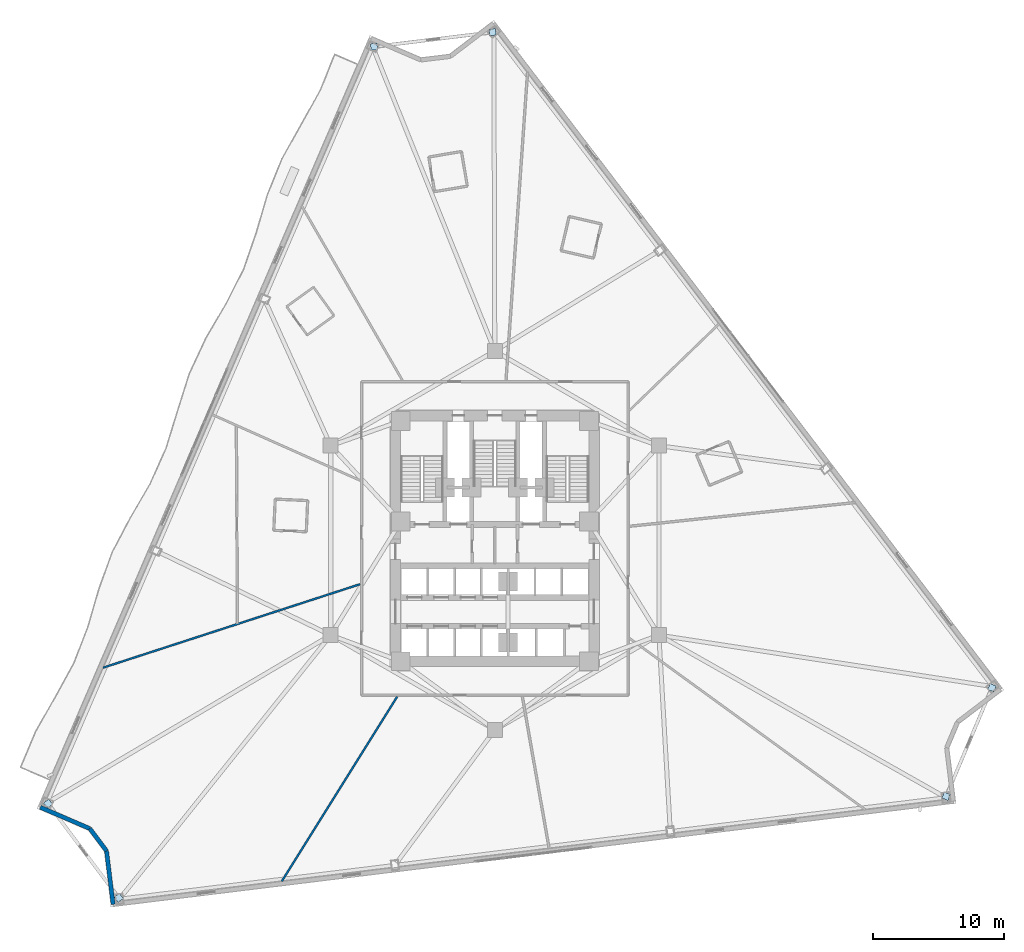
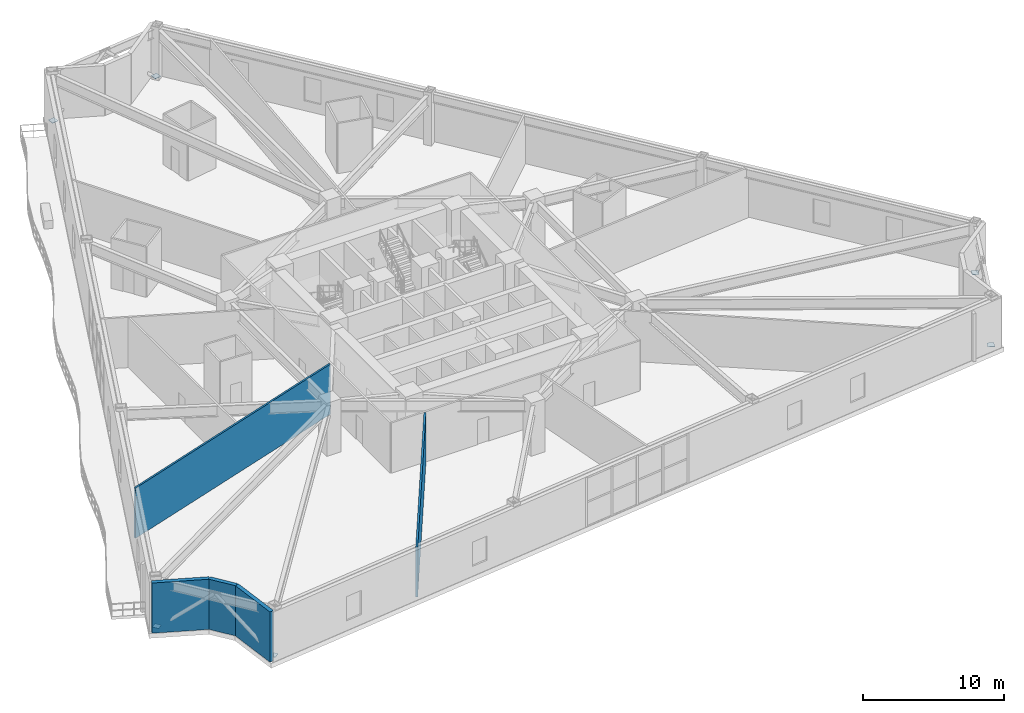
# One storey, part 11 of 21: 6 plates, 5 walls.
"""IFC4 building model written with IfcOpenShell, lengths in metres."""

from ifc_helpers import new_model, si_unit, direction, frame, frame_2d, origin, origin_2d, place, context, subcontext, project, spatial, rectangle, extrude, material, layer, layer_set, type_object, element, save


model = new_model("IFC4")

# Units and contexts
model_context = context("Model", 3, precision=1e-05, world=origin(), true_north=direction((0.0, 1.0)))
body_context = subcontext(model_context, "Body", "Model", "MODEL_VIEW")
ifc_project = project(units=[si_unit("LENGTHUNIT", "METRE"), si_unit("AREAUNIT", "SQUARE_METRE"), si_unit("VOLUMEUNIT", "CUBIC_METRE"), si_unit("PLANEANGLEUNIT", "RADIAN"), si_unit("MASSUNIT", "GRAM", prefix="KILO")], contexts=[model_context])

# Site, building, storey
site_placement = place(None, origin())
site = spatial("IfcSite", under=ifc_project, at=site_placement, CompositionType="ELEMENT")
building_placement = place(site_placement, origin())
building = spatial("IfcBuilding", under=site, at=building_placement, Name="Apsidion Concourse Tower", CompositionType="ELEMENT")
storey_placement = place(building_placement, frame((0.0, 0.0, 62.39990234375)))
storey = spatial("IfcBuildingStorey", under=building, at=storey_placement, Name="L13", CompositionType="ELEMENT", Elevation=62.39990234375)

# Plates
ifc_material_1 = material(Name="Structural steel ASTM A572 Grade 50", Category="steel")
ifc_layer_1 = layer(ifc_material_1, 0.034912109375)
ifc_layer_set_1 = layer_set([ifc_layer_1], Name="Structural steel ASTM A572 Grade 50")
plate_type = type_object("IfcPlateType", Name="PL-ENDCAP-35", PredefinedType="USERDEFINED", material=ifc_layer_set_1)
for number, where, z_axis, x_axis, name in (
    (1, (-34.1953125, -20.1494140625, 0.1025390625), (0.0, 0.0, 1.0), (-0.599722140278, 0.800208319415, 0.0), "L13 Chevron Base End Plate KNB-1-1"),
    (2, (-28.7880859375, -27.364501953125, 0.1025390625), (0.0, 0.0, 1.0), (-0.599722140278, 0.800208319415, 0.0), "L13 Chevron Base End Plate KNB-1-2"),
    (3, (34.552978515625, -19.5869140625, 0.1025390625), (0.0, 0.0, 1.0), (0.388319916157, 0.921524629468, 0.0), "L13 Chevron Base End Plate KNB-2-1"),
    (4, (38.05419921875, -11.2783203125, 0.1025390625), (0.0, 0.0, 1.0), (0.388319916157, 0.921524629468, 0.0), "L13 Chevron Base End Plate KNB-2-2"),
    (5, (-0.171630859375, 38.903076171875, 0.1025390625), (0.0, 0.0, 1.0), (0.992546151641, 0.121869343405, 0.0), "L13 Chevron Base End Plate KNB-3-1"),
    (6, (-9.2451171875, 37.7890625, 0.1025390625), (0.0, 0.0, 1.0), (0.992546151641, 0.121869343405, 0.0), "L13 Chevron Base End Plate KNB-3-2"),
):
    element("IfcPlate", number, at=place(storey_placement, frame(where, z_axis=z_axis, x_axis=x_axis)), inside=storey, type_object=plate_type, Name=name, ObjectType="FLANGE_PLATE", PredefinedType="USERDEFINED", context=body_context, shape_type="SweptSolid", body=[
        extrude(rectangle(XDim=0.5, YDim=0.5, at=origin_2d()), origin(), (0.0, 0.0, 1.0), 0.034912109375),
    ])

# Walls
ifc_material_2 = material(Name="Precast concrete C40/50", Category="concrete")
ifc_layer_2 = layer(ifc_material_2, 0.320068359375)
ifc_layer_set_2 = layer_set([ifc_layer_2], Name="Precast concrete C40/50")
wall_type_1 = type_object("IfcWallType", Name="WL-EXT-320", PredefinedType="STANDARD", material=ifc_layer_set_2)
wall_1_placement = place(storey_placement, frame((-29.219482421875, -27.857421875, 0.0), z_axis=(0.0, 0.0, 1.0), x_axis=(-0.121887213021, 0.992543957365, 0.0)))
element("IfcWall", 7, at=wall_1_placement, inside=storey, type_object=wall_type_1, Name="L13 Precast Stone Facade Wall 06", PredefinedType="STANDARD", context=body_context, shape_type="SweptSolid", body=[
    extrude(rectangle(XDim=4.128173828125, YDim=0.320068359375, at=frame_2d((2.06396484375, 0.0))), origin(), (0.0, 0.0, 1.0), 4.35009765625),
])
wall_2_placement = place(storey_placement, frame((-29.72265625, -23.760009765625, 0.0), z_axis=(0.0, 0.0, 1.0), x_axis=(-0.59977911486, 0.800165616218, 0.0)))
element("IfcWall", 8, at=wall_2_placement, inside=storey, type_object=wall_type_1, Name="L13 Precast Stone Facade Wall 07", PredefinedType="STANDARD", context=body_context, shape_type="SweptSolid", body=[
    extrude(rectangle(XDim=2.122314453125, YDim=0.320068359375, at=frame_2d((1.06103515625, 0.0))), origin(), (0.0, 0.0, 1.0), 4.35009765625),
])
wall_3_placement = place(storey_placement, frame((-30.99560546875, -22.061767578125, 0.0), z_axis=(0.0, 0.0, 1.0), x_axis=(-0.918504494871, 0.395410537165, 0.0)))
element("IfcWall", 9, at=wall_3_placement, inside=storey, type_object=wall_type_1, Name="L13 Precast Stone Facade Wall 08", PredefinedType="STANDARD", context=body_context, shape_type="SweptSolid", body=[
    extrude(rectangle(XDim=4.128173828125, YDim=0.320068359375, at=frame_2d((2.06396484375, 0.0))), origin(), (0.0, 0.0, 1.0), 4.35009765625),
])
ifc_material_3 = material(Name="Gypsum plasterboard partition")
ifc_layer_3 = layer(ifc_material_3, 0.14990234375)
ifc_layer_set_3 = layer_set([ifc_layer_3], Name="Gypsum plasterboard partition")
wall_type_2 = type_object("IfcWallType", Name="WL-INT-PAR-150", PredefinedType="PARTITIONING", material=ifc_layer_set_3)
wall_4_placement = place(storey_placement, frame((-10.304931640625, -3.348388671875, 0.0), z_axis=(0.0, 0.0, 1.0), x_axis=(-0.951058846739, -0.309009821915, 0.0)))
element("IfcWall", 10, at=wall_4_placement, inside=storey, type_object=wall_type_2, Name="L13 Interior Partition WL-L13-RAD-06-1", PredefinedType="PARTITIONING", context=body_context, shape_type="SweptSolid", body=[
    extrude(rectangle(XDim=20.706298828125, YDim=0.14990234375, at=frame_2d((10.35302734375, 0.0))), origin(), (0.0, 0.0, 1.0), 4.35009765625),
])
wall_5_placement = place(storey_placement, frame((-7.47021484375, -11.955078125, 0.0), z_axis=(0.0, 0.0, 1.0), x_axis=(-0.529931816238, -0.848040252664, 0.0)))
element("IfcWall", 11, at=wall_5_placement, inside=storey, type_object=wall_type_2, Name="L13 Interior Partition WL-L13-RAD-07-1", PredefinedType="PARTITIONING", context=body_context, shape_type="SweptSolid", body=[
    extrude(rectangle(XDim=16.674072265625, YDim=0.14990234375, at=frame_2d((8.3369140625, 0.0))), origin(), (0.0, 0.0, 1.0), 4.35009765625),
])

save(model, "model.ifc")
